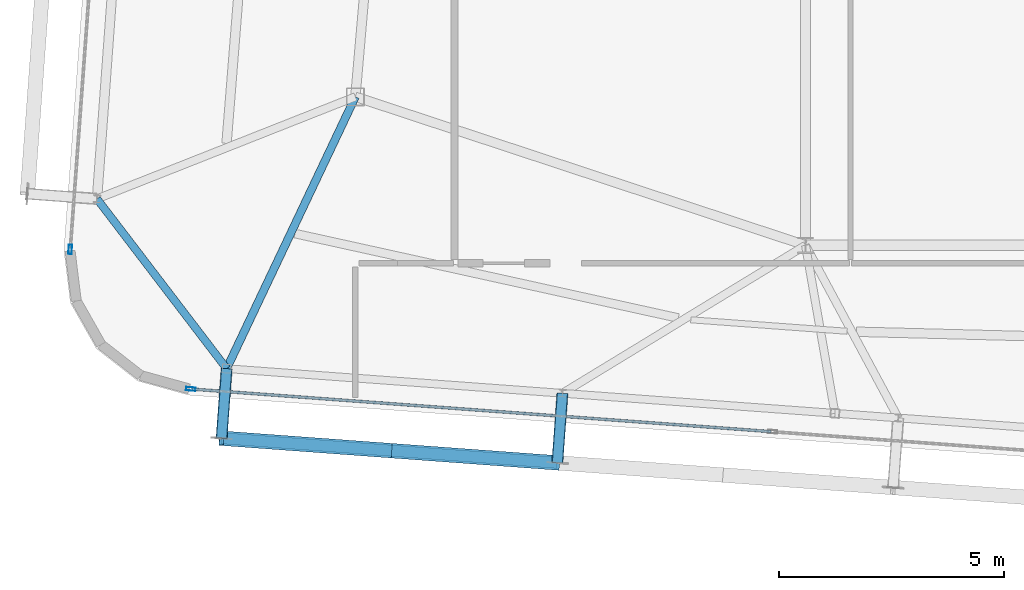
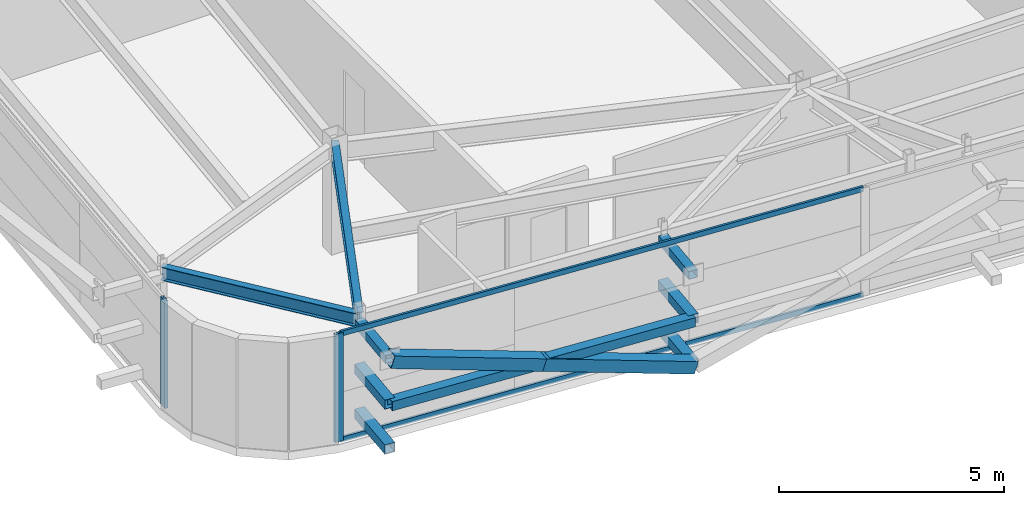
# One storey, part 9 of 34: 13 members, 2 beams, 2 elements without a shape of their own.
"""IFC4 building model written with IfcOpenShell, lengths in metres."""

from ifc_helpers import new_model, si_unit, direction, frame, origin, origin_2d, place, context, subcontext, project, spatial, hollow_rectangle, i_section, extrude, source, transform, mapped, material, layer, layer_set, material_profile, profile_set, type_object, element, aggregate, save


model = new_model("IFC4")

# Units and contexts
model_context = context("Model", 3, precision=1e-05, world=origin(), true_north=direction((0.0, 1.0)))
body_context = subcontext(model_context, "Body", "Model", "MODEL_VIEW")
ifc_project = project(units=[si_unit("LENGTHUNIT", "METRE"), si_unit("AREAUNIT", "SQUARE_METRE"), si_unit("VOLUMEUNIT", "CUBIC_METRE"), si_unit("PLANEANGLEUNIT", "RADIAN"), si_unit("MASSUNIT", "GRAM", prefix="KILO")], contexts=[model_context])

# Site, building, storey
site_placement = place(None, origin())
site = spatial("IfcSite", under=ifc_project, at=site_placement, CompositionType="ELEMENT")
building_placement = place(site_placement, origin())
building = spatial("IfcBuilding", under=site, at=building_placement, Name="Taldren Reach Tower", CompositionType="ELEMENT")
storey_placement = place(building_placement, frame((0.0, 0.0, 239.75)))
storey = spatial("IfcBuildingStorey", under=building, at=storey_placement, Name="L73", CompositionType="ELEMENT", Elevation=239.75)

# Members
ifc_material_1 = material(Name="Steel Gr 350 (C350L0)", Category="steel")
ifc_material_profile_1 = material_profile(ifc_material_1, hollow_rectangle(XDim=0.25, YDim=0.25, WallThickness=0.010009765625, at=origin_2d()), Name="250x250x10.0SHS")
ifc_profile_set_1 = profile_set([ifc_material_profile_1], Name="Steel Gr 350 (C350L0)")
member_type_1 = type_object("IfcMemberType", Name="MB-POST250", PredefinedType="POST", material=ifc_profile_set_1)
shared_shape_1 = source(origin(), body_context, "Body", "SweptSolid", [
    extrude(hollow_rectangle(XDim=0.25, YDim=0.25, WallThickness=0.010009765625, at=origin_2d()), origin(), (0.0, 0.0, 1.0), 1.5498046875),
])
for number, where, z_axis, x_axis, name in (
    (1, (22.6005859375, 5.912353515625, 0.219970703125), (-0.073250797913, -0.997313551801, 0.0), (0.997313551801, -0.073250797913, 0.0), "Exoskeleton base diaphragm tie strut B5-S2 L73"),
    (2, (22.6005859375, 5.912353515625, 1.43505859375), (-0.073250797913, -0.997313551801, 0.0), (0.997313551801, -0.073250797913, 0.0), "Exoskeleton mid-tier diaphragm tie B5-S2 L73"),
):
    element("IfcMember", number, at=place(storey_placement, frame(where, z_axis=z_axis, x_axis=x_axis)), inside=storey, type_object=member_type_1, Name=name, PredefinedType="POST", context=body_context, shape_type="MappedRepresentation", body=[
        mapped(shared_shape_1, transform((0.0, 0.0, 0.0), scale=1.0)),
    ])
shared_shape_2 = source(origin(), body_context, "Body", "SweptSolid", [
    extrude(hollow_rectangle(XDim=0.25, YDim=0.25, WallThickness=0.010009765625, at=origin_2d()), origin(), (0.0, 0.0, 1.0), 1.550048828125),
])
for number, where, z_axis, x_axis, name in (
    (3, (15.140625, 6.460205078125, 0.219970703125), (-0.07323929162, -0.997314396849, 0.0), (0.997314396849, -0.07323929162, 0.0), "Exoskeleton base diaphragm tie strut B5-S1 L73"),
    (4, (15.140625, 6.460205078125, 1.43505859375), (-0.07323929162, -0.997314396849, 0.0), (0.997314396849, -0.07323929162, 0.0), "Exoskeleton mid-tier diaphragm tie B5-S1 L73"),
):
    element("IfcMember", number, at=place(storey_placement, frame(where, z_axis=z_axis, x_axis=x_axis)), inside=storey, type_object=member_type_1, Name=name, PredefinedType="POST", context=body_context, shape_type="MappedRepresentation", body=[
        mapped(shared_shape_2, transform((0.0, 0.0, 0.0), scale=1.0)),
    ])
ifc_material_2 = material(Name="Steel Gr 450 (C450L0)", Category="steel")
ifc_material_profile_2 = material_profile(ifc_material_2, hollow_rectangle(XDim=0.219970703125, YDim=0.219970703125, WallThickness=0.00830078125, at=origin_2d()), Name="220x220x8.2SHS")
ifc_profile_set_2 = profile_set([ifc_material_profile_2], Name="Steel Gr 450 (C450L0)")
member_type_2 = type_object("IfcMemberType", Name="MB-TIE219", PredefinedType="STRUT", material=ifc_profile_set_2)
shared_shape_3 = source(origin(), body_context, "Body", "SweptSolid", [
    extrude(hollow_rectangle(XDim=0.219970703125, YDim=0.219970703125, WallThickness=0.00830078125, at=origin_2d()), origin(), (0.0, 0.0, 1.0), 1.5498046875),
])
member_1_placement = place(storey_placement, frame((22.6005859375, 5.912353515625, 2.64990234375), z_axis=(-0.073250797913, -0.997313551801, 0.0), x_axis=(0.997313551801, -0.073250797913, 0.0)))
element("IfcMember", 5, at=member_1_placement, inside=storey, type_object=member_type_2, Name="Exoskeleton diaphragm tie strut B5-S2 L73", PredefinedType="STRUT", context=body_context, shape_type="MappedRepresentation", body=[
    mapped(shared_shape_3, transform((0.0, 0.0, 0.0), scale=1.0)),
])
shared_shape_4 = source(origin(), body_context, "Body", "SweptSolid", [
    extrude(hollow_rectangle(XDim=0.219970703125, YDim=0.219970703125, WallThickness=0.00830078125, at=origin_2d()), origin(), (0.0, 0.0, 1.0), 1.550048828125),
])
member_2_placement = place(storey_placement, frame((15.140625, 6.460205078125, 2.64990234375), z_axis=(-0.07323929162, -0.997314396849, 0.0), x_axis=(0.997314396849, -0.07323929162, 0.0)))
element("IfcMember", 6, at=member_2_placement, inside=storey, type_object=member_type_2, Name="Exoskeleton diaphragm tie strut B5-S1 L73", PredefinedType="STRUT", context=body_context, shape_type="MappedRepresentation", body=[
    mapped(shared_shape_4, transform((0.0, 0.0, 0.0), scale=1.0)),
])

# Beams
ifc_material_3 = material(Name="Steel Gr 350 (350PLUS)", Category="steel")
ifc_material_profile_3 = material_profile(ifc_material_3, i_section(OverallWidth=0.172119140625, OverallDepth=0.35888671875, WebThickness=0.008056640625, FlangeThickness=0.012939453125, at=origin_2d()), Name="360UB56.7")
ifc_profile_set_3 = profile_set([ifc_material_profile_3], Name="Steel Gr 350 (350PLUS)")
beam_type_1 = type_object("IfcBeamType", Name="SP-UB360", PredefinedType="SPANDREL", material=ifc_profile_set_3)
shared_shape_5 = source(origin(), body_context, "Body", "SweptSolid", [
    extrude(i_section(OverallWidth=0.172119140625, OverallDepth=0.35888671875, WebThickness=0.008056640625, FlangeThickness=0.012939453125, at=origin_2d()), origin(), (0.0, 0.0, 1.0), 4.74609375),
])
beam_1_placement = place(storey_placement, frame((12.259033203125, 10.2314453125, 2.75048828125), z_axis=(0.607144568334, -0.794591387533, 0.0), x_axis=(0.794591387533, 0.607144568334, 0.0)))
element("IfcBeam", 7, at=beam_1_placement, inside=storey, type_object=beam_type_1, Name="Perimeter spandrel B5 W1-S1 L73", PredefinedType="SPANDREL", context=body_context, shape_type="MappedRepresentation", body=[
    mapped(shared_shape_5, transform((0.0, 0.0, 0.0), scale=1.0)),
])
ifc_material_profile_4 = material_profile(ifc_material_3, i_section(OverallWidth=0.177978515625, OverallDepth=0.406005859375, WebThickness=0.0078125, FlangeThickness=0.0126953125, at=origin_2d()), Name="410UB59.7")
ifc_profile_set_4 = profile_set([ifc_material_profile_4], Name="Steel Gr 350 (350PLUS)")
beam_type_2 = type_object("IfcBeamType", Name="BM-UB410", PredefinedType="BEAM", material=ifc_profile_set_4)
shared_shape_6 = source(origin(), body_context, "Body", "SweptSolid", [
    extrude(i_section(OverallWidth=0.177978515625, OverallDepth=0.406005859375, WebThickness=0.0078125, FlangeThickness=0.0126953125, at=origin_2d()), origin(), (0.0, 0.0, 1.0), 6.682373046875),
])
beam_2_placement = place(storey_placement, frame((18.0, 12.5, 2.72705078125), z_axis=(-0.427893164494, -0.903829320049, 0.0), x_axis=(0.903829320049, -0.427893164494, 0.0)))
element("IfcBeam", 8, at=beam_2_placement, inside=storey, type_object=beam_type_2, Name="Primary floor girder B5-S1 L73", PredefinedType="BEAM", context=body_context, shape_type="MappedRepresentation", body=[
    mapped(shared_shape_6, transform((0.0, 0.0, 0.0), scale=1.0)),
])

# Members
ifc_material_profile_5 = material_profile(ifc_material_2, hollow_rectangle(XDim=0.324951171875, YDim=0.324951171875, WallThickness=0.0126953125, at=origin_2d()), Name="325x325x12.7SHS")
ifc_profile_set_5 = profile_set([ifc_material_profile_5], Name="Steel Gr 450 (C450L0)")
member_type_3 = type_object("IfcMemberType", Name="MB-BR324", PredefinedType="BRACE", material=ifc_profile_set_5)
shared_shape_7 = source(origin(), body_context, "Body", "SweptSolid", [
    extrude(hollow_rectangle(XDim=0.324951171875, YDim=0.324951171875, WallThickness=0.0126953125, at=origin_2d()), origin(), (0.0, 0.0, 1.0), 3.932373046875),
])
for number, where, z_axis, x_axis, name in (
    (9, (22.487060546875, 4.36669921875, 0.219970703125), (-0.948515232963, 0.069595861772, 0.308990726172), (-0.073176762938, -0.997318986767, 0.0), "Exoskeleton Diagrid Brace B5-S1 L73"),
    (10, (18.757080078125, 4.640380859375, 1.43505859375), (-0.948529326954, 0.06965898055, 0.308933232813), (-0.07324169103, -0.997314220642, 0.0), "Exoskeleton Diagrid Brace B5-S1 L73"),
):
    element("IfcMember", number, at=place(storey_placement, frame(where, z_axis=z_axis, x_axis=x_axis)), inside=storey, type_object=member_type_3, Name=name, PredefinedType="BRACE", context=body_context, shape_type="MappedRepresentation", body=[
        mapped(shared_shape_7, transform((0.0, 0.0, 0.0), scale=1.0)),
    ])
shared_shape_8 = source(origin(), body_context, "Body", "SweptSolid", [
    extrude(hollow_rectangle(XDim=0.25, YDim=0.25, WallThickness=0.010009765625, at=origin_2d()), origin(), (0.0, 0.0, 1.0), 7.47998046875),
])
member_3_placement = place(storey_placement, frame((15.027099609375, 4.914306640625, 1.43505859375), z_axis=(0.997316604227, -0.0732092271, 0.0), x_axis=(0.0732092271, 0.997316604227, 0.0)))
element("IfcMember", 11, at=member_3_placement, inside=storey, type_object=member_type_1, Name="Exoskeleton mid-height ring chord B5-S1 L73", PredefinedType="POST", context=body_context, shape_type="MappedRepresentation", body=[
    mapped(shared_shape_8, transform((0.0, 0.0, 0.0), scale=1.0)),
])

# Curtain wall, members
ifc_material_4 = material(Name="Aluminium and Low-E Glass Unitised System", Category="aluminium")
ifc_layer = layer(ifc_material_4, 0.159912109375)
ifc_layer_set = layer_set([ifc_layer], Name="Aluminium and Low-E Glass Unitised System")
curtain_wall_type = type_object("IfcCurtainWallType", Name="CW-SYS-6", PredefinedType="NOTDEFINED", material=ifc_layer_set)
curtain_wall_1_placement = place(storey_placement, origin())
curtain_wall_1 = element("IfcCurtainWall", 12, at=curtain_wall_1_placement, inside=storey, type_object=curtain_wall_type, Name="Unitised curtain wall CW-L73-S", PredefinedType="NOTDEFINED")
ifc_material_5 = material(Name="Anodised Aluminium 6063-T6", Category="aluminium")
ifc_material_profile_6 = material_profile(ifc_material_5, hollow_rectangle(XDim=0.06005859375, YDim=0.135009765625, WallThickness=0.00341796875, at=origin_2d()), Name="ALU-135x60x3.5RHS")
ifc_profile_set_6 = profile_set([ifc_material_profile_6], Name="Anodised Aluminium 6063-T6")
member_type_4 = type_object("IfcMemberType", Name="CW-TRN-150", PredefinedType="USERDEFINED", material=ifc_profile_set_6)
shared_shape_9 = source(origin(), body_context, "Body", "SweptSolid", [
    extrude(hollow_rectangle(XDim=0.06005859375, YDim=0.135009765625, WallThickness=0.00341796875, at=origin_2d()), origin(), (0.0, 0.0, 1.0), 12.887451171875),
])
member_4_placement = place(storey_placement, frame((14.38037109375, 6.004638671875, 0.030029296875), z_axis=(0.997314487101, -0.07323806263, 0.0), x_axis=(0.07323806263, 0.997314487101, 0.0)))
member_4 = element("IfcMember", 13, at=member_4_placement, type_object=member_type_4, Name="CW-6 transom 1.1", ObjectType="TRANSOM", PredefinedType="USERDEFINED", context=body_context, shape_type="MappedRepresentation", body=[
    mapped(shared_shape_9, transform((0.0, 0.0, 0.0), scale=1.0)),
])
member_5_placement = place(storey_placement, frame((14.38037109375, 6.004638671875, 2.89990234375), z_axis=(0.997314487101, -0.07323806263, 0.0), x_axis=(0.07323806263, 0.997314487101, 0.0)))
member_5 = element("IfcMember", 14, at=member_5_placement, type_object=member_type_4, Name="CW-6 transom 1.2", ObjectType="TRANSOM", PredefinedType="USERDEFINED", context=body_context, shape_type="MappedRepresentation", body=[
    mapped(shared_shape_9, transform((0.0, 0.0, 0.0), scale=1.0)),
])
ifc_material_profile_7 = material_profile(ifc_material_5, hollow_rectangle(XDim=0.074951171875, YDim=0.2099609375, WallThickness=0.00439453125, at=origin_2d()), Name="ALU-210x75x4.5RHS")
ifc_profile_set_7 = profile_set([ifc_material_profile_7], Name="Anodised Aluminium 6063-T6")
member_type_5 = type_object("IfcMemberType", Name="CW-MUL-200", PredefinedType="MULLION", material=ifc_profile_set_7)
shared_shape_10 = source(origin(), body_context, "Body", "SweptSolid", [
    extrude(hollow_rectangle(XDim=0.074951171875, YDim=0.2099609375, WallThickness=0.00439453125, at=origin_2d()), origin(), (0.0, 0.0, 1.0), 2.929931640625),
])
member_6_placement = place(storey_placement, frame((14.3427734375, 6.007568359375, 0.0), z_axis=(0.0, 0.0, 1.0), x_axis=(0.073238213716, 0.997314476006, 0.0)))
member_6 = element("IfcMember", 15, at=member_6_placement, type_object=member_type_5, Name="CW-6 mullion 1", PredefinedType="MULLION", context=body_context, shape_type="MappedRepresentation", body=[
    mapped(shared_shape_10, transform((0.0, 0.0, 0.0), scale=1.0)),
])
aggregate(curtain_wall_1, [member_6, member_4, member_5])

# Curtain wall, member
curtain_wall_2_placement = place(storey_placement, origin())
curtain_wall_2 = element("IfcCurtainWall", 16, at=curtain_wall_2_placement, inside=storey, type_object=curtain_wall_type, Name="Unitised curtain wall CW-L73-W", PredefinedType="NOTDEFINED")
member_7_placement = place(storey_placement, frame((11.665283203125, 9.109375, 0.0), z_axis=(0.0, 0.0, 1.0), x_axis=(0.997314470951, -0.073238282558, 0.0)))
member_7 = element("IfcMember", 17, at=member_7_placement, type_object=member_type_5, Name="CW-6 mullion 3", PredefinedType="MULLION", context=body_context, shape_type="MappedRepresentation", body=[
    mapped(shared_shape_10, transform((0.0, 0.0, 0.0), scale=1.0)),
])
aggregate(curtain_wall_2, [member_7])

save(model, "model.ifc")
